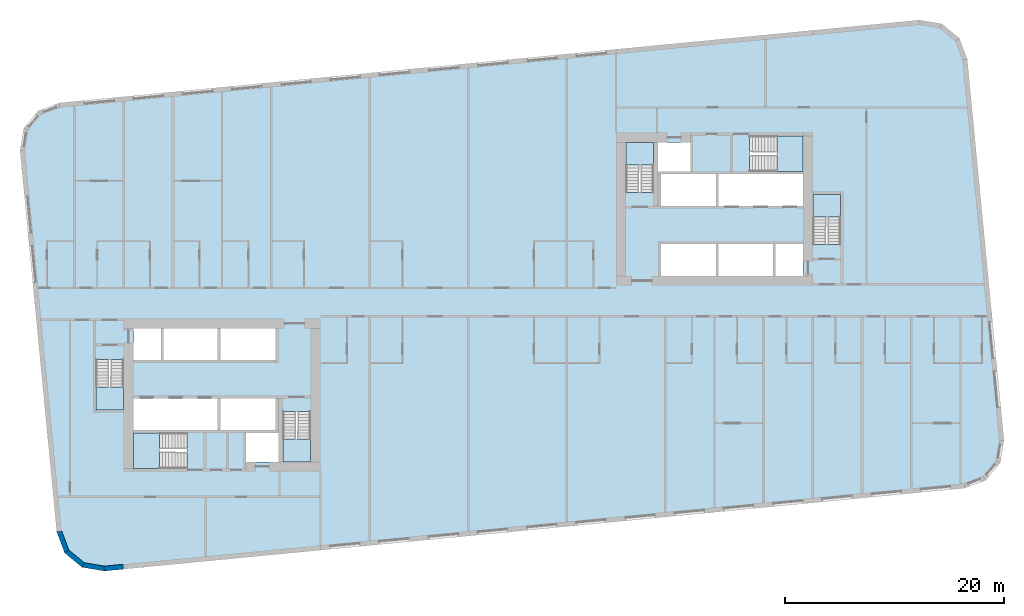
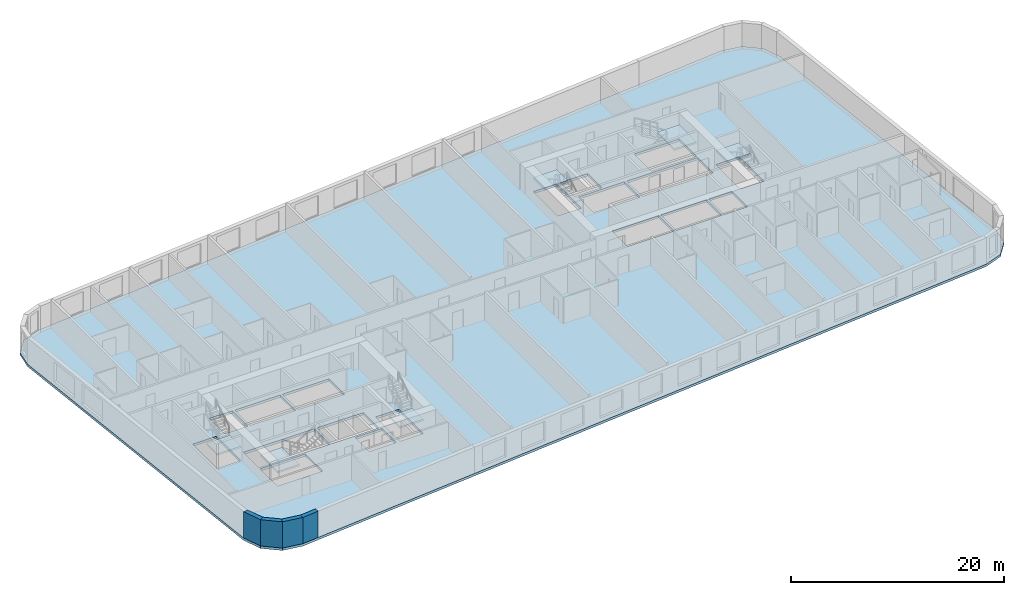
# One storey, part 1 of 12: 7 slabs, 4 walls, 6 elements without a shape of their own.
"""IFC4 building model written with IfcOpenShell, lengths in metres."""

from ifc_helpers import new_model, si_unit, direction, frame, frame_2d, origin, place, context, subcontext, project, spatial, polyline, rectangle, outline, extrude, material, layer, layer_set, type_object, element, aggregate, save


model = new_model("IFC4")

# Units and contexts
model_context = context("Model", 3, precision=1e-05, world=origin(), true_north=direction((0.0, 1.0)))
body_context = subcontext(model_context, "Body", "Model", "MODEL_VIEW")
ifc_project = project(units=[si_unit("LENGTHUNIT", "METRE"), si_unit("AREAUNIT", "SQUARE_METRE"), si_unit("VOLUMEUNIT", "CUBIC_METRE"), si_unit("PLANEANGLEUNIT", "RADIAN"), si_unit("MASSUNIT", "GRAM", prefix="KILO")], contexts=[model_context])

# Site, building, storey
site_placement = place(None, origin())
site = spatial("IfcSite", under=ifc_project, at=site_placement, CompositionType="ELEMENT")
building_placement = place(site_placement, origin())
building = spatial("IfcBuilding", under=site, at=building_placement, Name="Kajstack Hotel Tower", CompositionType="ELEMENT")
storey_placement = place(building_placement, frame((0.0, 0.0, 127.300048828125)))
storey = spatial("IfcBuildingStorey", under=building, at=storey_placement, Name="L28", CompositionType="ELEMENT", Elevation=127.300048828125)

# Slab
ifc_material_1 = material(Name="Concrete C40/50", Category="concrete")
ifc_layer_1 = layer(ifc_material_1, 0.280029296875)
ifc_layer_set_1 = layer_set([ifc_layer_1], Name="RC slab 280 C40/50 guest")
slab_type_1 = type_object("IfcSlabType", Name="RC slab 280 C40/50 guest", PredefinedType="FLOOR", material=ifc_layer_set_1)
slab_1_placement = place(storey_placement, frame((0.0, 0.0, -0.280029296875)))
element("IfcSlab", 1, at=slab_1_placement, inside=storey, type_object=slab_type_1, Name="S-slab-L28", PredefinedType="FLOOR", context=body_context, shape_type="SweptSolid", body=[
    extrude(outline(polyline([(-40.97705078125, 13.85009765625), (-37.622314453125, -20.98876953125), (-36.897216796875, -22.92822265625), (-35.299560546875, -24.2451171875), (-33.257568359375, -24.5869140625), (45.37890625, -17.01513671875), (47.318359375, -16.2900390625), (48.63525390625, -14.6923828125), (48.97705078125, -12.650146484375), (45.622314453125, 22.188720703125), (44.897216796875, 24.128173828125), (43.299560546875, 25.4453125), (41.257568359375, 25.786865234375), (-37.37890625, 18.215087890625), (-39.318359375, 17.489990234375), (-40.63525390625, 15.892333984375), (-40.97705078125, 13.85009765625)]), holes=[polyline([(-30.60009765625, -11.699951171875), (-30.60009765625, -8.800048828125), (-22.89990234375, -8.800048828125), (-22.89990234375, -11.699951171875), (-30.60009765625, -11.699951171875)]), polyline([(-22.64990234375, -11.699951171875), (-22.64990234375, -8.800048828125), (-17.60009765625, -8.800048828125), (-17.60009765625, -11.699951171875), (-22.64990234375, -11.699951171875)]), polyline([(-27.85009765625, -5.300048828125), (-27.85009765625, -2.39990234375), (-22.89990234375, -2.39990234375), (-22.89990234375, -5.300048828125), (-27.85009765625, -5.300048828125)]), polyline([(-22.64990234375, -5.300048828125), (-22.64990234375, -2.39990234375), (-17.60009765625, -2.39990234375), (-17.60009765625, -5.300048828125), (-22.64990234375, -5.300048828125)]), polyline([(-20.300048828125, -14.60009765625), (-17.35009765625, -14.60009765625), (-17.35009765625, -11.949951171875), (-20.300048828125, -11.949951171875), (-20.300048828125, -14.60009765625)]), polyline([(-30.60009765625, -5.300048828125), (-28.10009765625, -5.300048828125), (-28.10009765625, -2.39990234375), (-30.60009765625, -2.39990234375), (-30.60009765625, -5.300048828125)]), polyline([(22.89990234375, 8.800048828125), (22.89990234375, 11.699951171875), (30.60009765625, 11.699951171875), (30.60009765625, 8.800048828125), (22.89990234375, 8.800048828125)]), polyline([(17.60009765625, 8.800048828125), (17.60009765625, 11.699951171875), (22.64990234375, 11.699951171875), (22.64990234375, 8.800048828125), (17.60009765625, 8.800048828125)]), polyline([(22.89990234375, 2.39990234375), (22.89990234375, 5.300048828125), (27.85009765625, 5.300048828125), (27.85009765625, 2.39990234375), (22.89990234375, 2.39990234375)]), polyline([(17.60009765625, 2.39990234375), (17.60009765625, 5.300048828125), (22.64990234375, 5.300048828125), (22.64990234375, 2.39990234375), (17.60009765625, 2.39990234375)]), polyline([(20.300048828125, 14.60009765625), (17.35009765625, 14.60009765625), (17.35009765625, 11.949951171875), (20.300048828125, 11.949951171875), (20.300048828125, 14.60009765625)]), polyline([(30.60009765625, 5.300048828125), (28.10009765625, 5.300048828125), (28.10009765625, 2.39990234375), (30.60009765625, 2.39990234375), (30.60009765625, 5.300048828125)]), polyline([(-34.050048828125, -9.85009765625), (-31.5, -9.85009765625), (-31.5, -5.25), (-34.050048828125, -5.25), (-34.050048828125, -9.85009765625)]), polyline([(-16.949951171875, -14.60009765625), (-14.39990234375, -14.60009765625), (-14.39990234375, -10.0), (-16.949951171875, -10.0), (-16.949951171875, -14.60009765625)]), polyline([(-30.60009765625, -15.199951171875), (-25.699951171875, -15.199951171875), (-25.699951171875, -11.949951171875), (-30.60009765625, -11.949951171875), (-30.60009765625, -15.199951171875)]), polyline([(34.050048828125, 9.85009765625), (31.5, 9.85009765625), (31.5, 5.25), (34.050048828125, 5.25), (34.050048828125, 9.85009765625)]), polyline([(16.949951171875, 14.60009765625), (14.39990234375, 14.60009765625), (14.39990234375, 10.0), (16.949951171875, 10.0), (16.949951171875, 14.60009765625)]), polyline([(30.60009765625, 15.199951171875), (25.699951171875, 15.199951171875), (25.699951171875, 11.949951171875), (30.60009765625, 11.949951171875), (30.60009765625, 15.199951171875)])]), origin(), (0.0, 0.0, 1.0), 0.280029296875),
])

# Stair, slab
stair_type_1 = type_object("IfcStairType", Name="Exit stair 1200", PredefinedType="HALF_TURN_STAIR", material=ifc_material_1)
stair_1_placement = place(storey_placement, origin())
stair_1 = element("IfcStair", 2, at=stair_1_placement, inside=storey, type_object=stair_type_1, Name="L28 stair W1", PredefinedType="HALF_TURN_STAIR")
ifc_layer_2 = layer(ifc_material_1, 0.199951171875)
ifc_layer_set_2 = layer_set([ifc_layer_2], Name="Stair landing 200")
slab_type_2 = type_object("IfcSlabType", Name="Stair landing 200", PredefinedType="LANDING", material=ifc_layer_set_2)
slab_2_placement = place(storey_placement, frame((0.0, 0.0, 1.449951171875)))
slab_2 = element("IfcSlab", 3, at=slab_2_placement, type_object=slab_type_2, Name="W1 landing 1", PredefinedType="LANDING", context=body_context, shape_type="SweptSolid", body=[
    extrude(outline(polyline([(-34.050048828125, -7.77001953125), (-34.050048828125, -9.85009765625), (-31.5, -9.85009765625), (-31.5, -7.77001953125), (-34.050048828125, -7.77001953125)])), origin(), (0.0, 0.0, 1.0), 0.199951171875),
])
aggregate(stair_1, [slab_2])

stair_2_placement = place(storey_placement, origin())
stair_2 = element("IfcStair", 4, at=stair_2_placement, inside=storey, type_object=stair_type_1, Name="L28 stair W2", PredefinedType="HALF_TURN_STAIR")
slab_3_placement = place(storey_placement, frame((0.0, 0.0, 1.449951171875)))
slab_3 = element("IfcSlab", 5, at=slab_3_placement, type_object=slab_type_2, Name="W2 landing 1", PredefinedType="LANDING", context=body_context, shape_type="SweptSolid", body=[
    extrude(outline(polyline([(-16.949951171875, -12.52001953125), (-16.949951171875, -14.60009765625), (-14.39990234375, -14.60009765625), (-14.39990234375, -12.52001953125), (-16.949951171875, -12.52001953125)])), origin(), (0.0, 0.0, 1.0), 0.199951171875),
])
aggregate(stair_2, [slab_3])

stair_type_2 = type_object("IfcStairType", Name="Exit stair 1500", PredefinedType="HALF_TURN_STAIR", material=ifc_material_1)
stair_3_placement = place(storey_placement, origin())
stair_3 = element("IfcStair", 6, at=stair_3_placement, inside=storey, type_object=stair_type_2, Name="L28 stair W3", PredefinedType="HALF_TURN_STAIR")
slab_4_placement = place(storey_placement, frame((0.0, 0.0, 1.449951171875)))
slab_4 = element("IfcSlab", 7, at=slab_4_placement, type_object=slab_type_2, Name="W3 landing 1", PredefinedType="LANDING", context=body_context, shape_type="SweptSolid", body=[
    extrude(outline(polyline([(-28.219970703125, -11.949951171875), (-30.60009765625, -11.949951171875), (-30.60009765625, -15.199951171875), (-28.219970703125, -15.199951171875), (-28.219970703125, -11.949951171875)])), origin(), (0.0, 0.0, 1.0), 0.199951171875),
])
aggregate(stair_3, [slab_4])

stair_4_placement = place(storey_placement, origin())
stair_4 = element("IfcStair", 8, at=stair_4_placement, inside=storey, type_object=stair_type_1, Name="L28 stair E1", PredefinedType="HALF_TURN_STAIR")
slab_5_placement = place(storey_placement, frame((0.0, 0.0, 1.449951171875)))
slab_5 = element("IfcSlab", 9, at=slab_5_placement, type_object=slab_type_2, Name="E1 landing 1", PredefinedType="LANDING", context=body_context, shape_type="SweptSolid", body=[
    extrude(outline(polyline([(34.050048828125, 7.77001953125), (34.050048828125, 9.85009765625), (31.5, 9.85009765625), (31.5, 7.77001953125), (34.050048828125, 7.77001953125)])), origin(), (0.0, 0.0, 1.0), 0.199951171875),
])
aggregate(stair_4, [slab_5])

stair_5_placement = place(storey_placement, origin())
stair_5 = element("IfcStair", 10, at=stair_5_placement, inside=storey, type_object=stair_type_1, Name="L28 stair E2", PredefinedType="HALF_TURN_STAIR")
slab_6_placement = place(storey_placement, frame((0.0, 0.0, 1.449951171875)))
slab_6 = element("IfcSlab", 11, at=slab_6_placement, type_object=slab_type_2, Name="E2 landing 1", PredefinedType="LANDING", context=body_context, shape_type="SweptSolid", body=[
    extrude(outline(polyline([(16.949951171875, 12.52001953125), (16.949951171875, 14.60009765625), (14.39990234375, 14.60009765625), (14.39990234375, 12.52001953125), (16.949951171875, 12.52001953125)])), origin(), (0.0, 0.0, 1.0), 0.199951171875),
])
aggregate(stair_5, [slab_6])

stair_6_placement = place(storey_placement, origin())
stair_6 = element("IfcStair", 12, at=stair_6_placement, inside=storey, type_object=stair_type_2, Name="L28 stair E3", PredefinedType="HALF_TURN_STAIR")
slab_7_placement = place(storey_placement, frame((0.0, 0.0, 1.449951171875)))
slab_7 = element("IfcSlab", 13, at=slab_7_placement, type_object=slab_type_2, Name="E3 landing 1", PredefinedType="LANDING", context=body_context, shape_type="SweptSolid", body=[
    extrude(outline(polyline([(28.219970703125, 11.949951171875), (30.60009765625, 11.949951171875), (30.60009765625, 15.199951171875), (28.219970703125, 15.199951171875), (28.219970703125, 11.949951171875)])), origin(), (0.0, 0.0, 1.0), 0.199951171875),
])
aggregate(stair_6, [slab_7])

# Walls
ifc_material_2 = material(Name="Terracotta-faced brick masonry", Category="masonry")
ifc_layer_3 = layer(ifc_material_2, 0.449951171875)
ifc_layer_set_3 = layer_set([ifc_layer_3], Name="EW-TERRA")
wall_type = type_object("IfcWallType", Name="EW-TERRA", PredefinedType="SOLIDWALL", material=ifc_layer_set_3)
for number, where, z_axis, x_axis, name in (
    (14, (-37.41162109375, -20.909912109375, 0.0), (0.0, 0.0, 1.0), (0.350192909346, -0.936677599948, 0.0), "E-wall-L28-01-00"),
    (15, (-36.754150390625, -22.754638671875, 0.0), (0.0, 0.0, 1.0), (0.771651049663, -0.636046112757, 0.0), "E-wall-L28-02-00"),
):
    element("IfcWall", number, at=place(storey_placement, frame(where, z_axis=z_axis, x_axis=x_axis)), inside=storey, type_object=wall_type, Name=name, PredefinedType="SOLIDWALL", context=body_context, shape_type="SweptSolid", body=[
        extrude(outline(polyline([(0.0, -0.22509765625), (2.070556640625, -0.22509765625), (1.949951171875, 0.224853515625), (0.12060546875, 0.22509765625), (0.0, -0.22509765625)])), origin(), (0.0, 0.0, 1.0), 3.02001953125),
    ])
wall_1_placement = place(storey_placement, frame((-35.262451171875, -24.023193359375, 0.0), z_axis=(0.0, 0.0, 1.0), x_axis=(0.986278951104, -0.165087342366, 0.0)))
element("IfcWall", 16, at=wall_1_placement, inside=storey, type_object=wall_type, Name="E-wall-L28-03-00", PredefinedType="SOLIDWALL", context=body_context, shape_type="SweptSolid", body=[
    extrude(outline(polyline([(0.0, -0.22509765625), (2.070556640625, -0.22509765625), (1.949951171875, 0.22509765625), (0.12060546875, 0.224853515625), (0.0, -0.22509765625)])), origin(), (0.0, 0.0, 1.0), 3.02001953125),
])
wall_2_placement = place(storey_placement, frame((-33.279052734375, -24.363037109375, 0.0), z_axis=(0.0, 0.0, 1.0), x_axis=(0.995385439311, 0.095957423931, 0.0)))
element("IfcWall", 17, at=wall_2_placement, inside=storey, type_object=wall_type, Name="E-wall-L28-04-00", PredefinedType="SOLIDWALL", context=body_context, shape_type="SweptSolid", body=[
    extrude(rectangle(XDim=1.765625, YDim=0.449951171875, at=frame_2d((0.8828125, 0.0))), origin(), (0.0, 0.0, 1.0), 3.02001953125),
])

save(model, "model.ifc")
